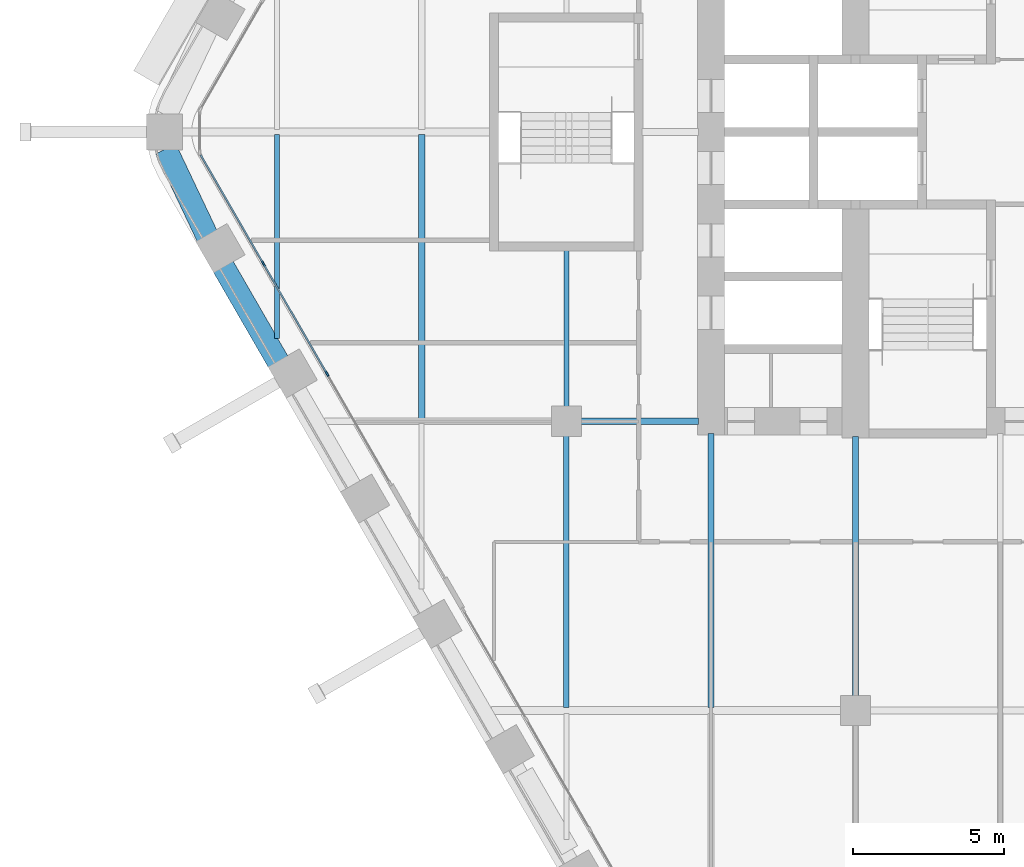
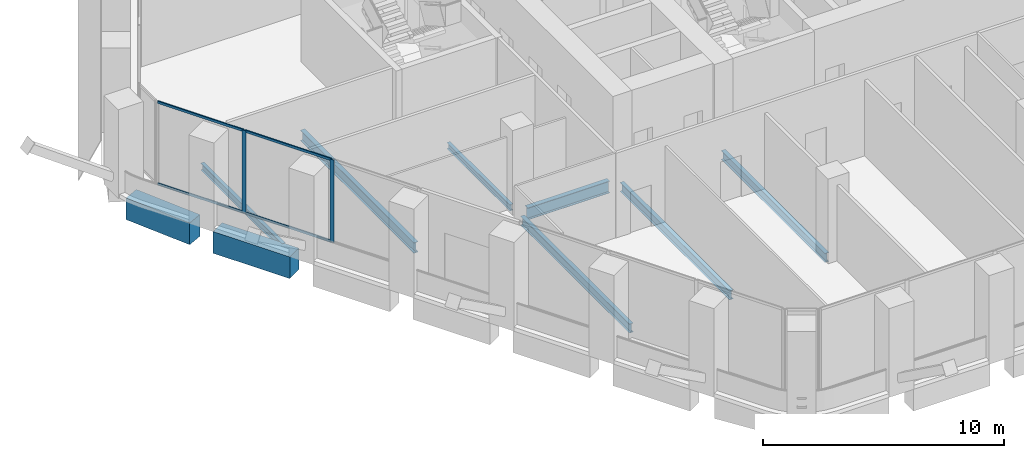
# One storey, part 3 of 26: 9 beams, 6 members, 1 element without a shape of its own.
"""IFC4 building model written with IfcOpenShell, lengths in metres."""

from ifc_helpers import new_model, si_unit, direction, frame, origin, origin_2d, place, context, subcontext, project, spatial, rectangle, i_section, extrude, material, material_profile, profile_set, type_object, element, aggregate, save


model = new_model("IFC4")

# Units and contexts
model_context = context("Model", 3, precision=1e-05, world=origin(), true_north=direction((0.0, 1.0)))
body_context = subcontext(model_context, "Body", "Model", "MODEL_VIEW")
ifc_project = project(units=[si_unit("LENGTHUNIT", "METRE"), si_unit("AREAUNIT", "SQUARE_METRE"), si_unit("VOLUMEUNIT", "CUBIC_METRE"), si_unit("PLANEANGLEUNIT", "RADIAN"), si_unit("MASSUNIT", "GRAM", prefix="KILO")], contexts=[model_context])

# Site, building, storey
site_placement = place(None, origin())
site = spatial("IfcSite", under=ifc_project, at=site_placement, CompositionType="ELEMENT")
building_placement = place(site_placement, origin())
building = spatial("IfcBuilding", under=site, at=building_placement, Name="Kolab Exchange Tower", CompositionType="ELEMENT")
storey_placement = place(building_placement, frame((0.0, 0.0, 104.89990234375)))
storey = spatial("IfcBuildingStorey", under=building, at=storey_placement, Name="L20", CompositionType="ELEMENT", Elevation=104.89990234375)

# Beams
ifc_material_1 = material(Name="Steel S355", Category="steel")
ifc_material_profile_1 = material_profile(ifc_material_1, i_section(OverallWidth=0.1650390625, OverallDepth=0.31005859375, WebThickness=0.005859375, FlangeThickness=0.009765625, at=origin_2d()), Name="W310X39")
ifc_profile_set_1 = profile_set([ifc_material_profile_1], Name="Steel S355")
beam_type_1 = type_object("IfcBeamType", Name="FLOOR BEAM W310X39", PredefinedType="BEAM", material=ifc_profile_set_1)
beam_1_placement = place(storey_placement, frame((-19.199951171875, -9.139892578125, -0.35498046875), z_axis=(0.0, 1.0, 0.0), x_axis=(-1.0, 0.0, 0.0)))
element("IfcBeam", 1, at=beam_1_placement, inside=storey, type_object=beam_type_1, Name="beam/L20/fr/008", PredefinedType="BEAM", context=body_context, shape_type="SweptSolid", body=[
    extrude(i_section(OverallWidth=0.1650390625, OverallDepth=0.31005859375, WebThickness=0.005859375, FlangeThickness=0.009765625, at=origin_2d()), origin(), (0.0, 0.0, 1.0), 5.22998046875),
])
ifc_material_profile_2 = material_profile(ifc_material_1, i_section(OverallWidth=0.1708984375, OverallDepth=0.35498046875, WebThickness=0.007080078125, FlangeThickness=0.01171875, at=origin_2d()), Name="W360X51")
ifc_profile_set_2 = profile_set([ifc_material_profile_2], Name="Steel S355")
beam_type_2 = type_object("IfcBeamType", Name="FLOOR BEAM W360X51", PredefinedType="BEAM", material=ifc_profile_set_2)
beam_2_placement = place(storey_placement, frame((-28.800048828125, -6.853759765625, -0.37744140625), z_axis=(0.0, 1.0, 0.0), x_axis=(-1.0, 0.0, 0.0)))
element("IfcBeam", 2, at=beam_2_placement, inside=storey, type_object=beam_type_2, Name="beam/L20/fr/000", PredefinedType="BEAM", context=body_context, shape_type="SweptSolid", body=[
    extrude(i_section(OverallWidth=0.1708984375, OverallDepth=0.35498046875, WebThickness=0.007080078125, FlangeThickness=0.01171875, at=origin_2d()), origin(), (0.0, 0.0, 1.0), 6.766845703125),
])
ifc_material_profile_3 = material_profile(ifc_material_1, i_section(OverallWidth=0.18994140625, OverallDepth=0.45703125, WebThickness=0.009033203125, FlangeThickness=0.014404296875, at=origin_2d()), Name="W460X74")
ifc_profile_set_3 = profile_set([ifc_material_profile_3], Name="Steel S355")
beam_type_3 = type_object("IfcBeamType", Name="FLOOR BEAM W460X74", PredefinedType="BEAM", material=ifc_profile_set_3)
beam_3_placement = place(storey_placement, frame((-19.199951171875, -19.1064453125, -0.428466796875), z_axis=(0.0, 1.0, 0.0), x_axis=(-1.0, 0.0, 0.0)))
element("IfcBeam", 3, at=beam_3_placement, inside=storey, type_object=beam_type_3, Name="beam/L20/fr/007", PredefinedType="BEAM", context=body_context, shape_type="SweptSolid", body=[
    extrude(i_section(OverallWidth=0.18994140625, OverallDepth=0.45703125, WebThickness=0.009033203125, FlangeThickness=0.014404296875, at=origin_2d()), origin(), (0.0, 0.0, 1.0), 9.04638671875),
])
beam_4_placement = place(storey_placement, frame((-14.39990234375, -19.1064453125, -0.428466796875), z_axis=(0.0, 1.0, 0.0), x_axis=(-1.0, 0.0, 0.0)))
element("IfcBeam", 4, at=beam_4_placement, inside=storey, type_object=beam_type_3, Name="beam/L20/fr/013", PredefinedType="BEAM", context=body_context, shape_type="SweptSolid", body=[
    extrude(i_section(OverallWidth=0.18994140625, OverallDepth=0.45703125, WebThickness=0.009033203125, FlangeThickness=0.014404296875, at=origin_2d()), origin(), (0.0, 0.0, 1.0), 9.096435546875),
])
beam_5_placement = place(storey_placement, frame((-9.60009765625, -18.739990234375, -0.428466796875), z_axis=(0.0, 1.0, 0.0), x_axis=(-1.0, 0.0, 0.0)))
element("IfcBeam", 5, at=beam_5_placement, inside=storey, type_object=beam_type_3, Name="beam/L20/fr/017", PredefinedType="BEAM", context=body_context, shape_type="SweptSolid", body=[
    extrude(i_section(OverallWidth=0.18994140625, OverallDepth=0.45703125, WebThickness=0.009033203125, FlangeThickness=0.014404296875, at=origin_2d()), origin(), (0.0, 0.0, 1.0), 8.6298828125),
])
ifc_material_profile_4 = material_profile(ifc_material_1, i_section(OverallWidth=0.208984375, OverallDepth=0.532958984375, WebThickness=0.01025390625, FlangeThickness=0.015625, at=origin_2d()), Name="W530X92")
ifc_profile_set_4 = profile_set([ifc_material_profile_4], Name="Steel S355")
beam_type_4 = type_object("IfcBeamType", Name="FLOOR BEAM W530X92", PredefinedType="BEAM", material=ifc_profile_set_4)
beam_6_placement = place(storey_placement, frame((-24.0, -9.52587890625, -0.46630859375), z_axis=(0.0, 1.0, 0.0), x_axis=(-1.0, 0.0, 0.0)))
element("IfcBeam", 6, at=beam_6_placement, inside=storey, type_object=beam_type_4, Name="beam/L20/fr/003", PredefinedType="BEAM", context=body_context, shape_type="SweptSolid", body=[
    extrude(i_section(OverallWidth=0.208984375, OverallDepth=0.532958984375, WebThickness=0.01025390625, FlangeThickness=0.015625, at=origin_2d()), origin(), (0.0, 0.0, 1.0), 9.43896484375),
])
ifc_material_profile_5 = material_profile(ifc_material_1, i_section(OverallWidth=0.22802734375, OverallDepth=0.60791015625, WebThickness=0.01123046875, FlangeThickness=0.017333984375, at=origin_2d()), Name="W610X113")
ifc_profile_set_5 = profile_set([ifc_material_profile_5], Name="Steel S355")
beam_type_5 = type_object("IfcBeamType", Name="FLOOR GIRDER W610X113", PredefinedType="BEAM", material=ifc_profile_set_5)
beam_7_placement = place(storey_placement, frame((-18.739990234375, -9.60009765625, -0.50390625), z_axis=(1.0, 0.0, 0.0), x_axis=(0.0, 1.0, 0.0)))
element("IfcBeam", 7, at=beam_7_placement, inside=storey, type_object=beam_type_5, Name="beam/L20/gd/005", PredefinedType="BEAM", context=body_context, shape_type="SweptSolid", body=[
    extrude(i_section(OverallWidth=0.22802734375, OverallDepth=0.60791015625, WebThickness=0.01123046875, FlangeThickness=0.017333984375, at=origin_2d()), origin(), (0.0, 0.0, 1.0), 3.929931640625),
])
ifc_material_2 = material(Name="Concrete C70/85", Category="concrete")
ifc_material_profile_6 = material_profile(ifc_material_2, rectangle(XDim=0.75, YDim=1.10009765625, at=origin_2d()), Name="RC750X1100")
ifc_profile_set_6 = profile_set([ifc_material_profile_6], Name="Concrete C70/85")
beam_type_6 = type_object("IfcBeamType", Name="SPANDREL BEAM 750X1100 C70/85", PredefinedType="BEAM", material=ifc_profile_set_6)
beam_8_placement = place(storey_placement, frame((-28.755126953125, -7.641357421875, -0.75), z_axis=(-0.500013413428, 0.866017659399, 0.0), x_axis=(-0.866017659399, -0.500013413428, 0.0)))
element("IfcBeam", 8, at=beam_8_placement, inside=storey, type_object=beam_type_6, Name="beam/L20/sp/F5-06", PredefinedType="BEAM", context=body_context, shape_type="SweptSolid", body=[
    extrude(rectangle(XDim=0.75, YDim=1.10009765625, at=origin_2d()), origin(), (0.0, 0.0, 1.0), 3.68017578125),
])
beam_9_placement = place(storey_placement, frame((-31.116455078125, -3.4619140625, -0.75), z_axis=(-0.429041292193, 0.903284877319, 0.0), x_axis=(-0.903284877319, -0.429041292193, 0.0)))
element("IfcBeam", 9, at=beam_9_placement, inside=storey, type_object=beam_type_6, Name="beam/L20/sp/F5-07", PredefinedType="BEAM", context=body_context, shape_type="SweptSolid", body=[
    extrude(rectangle(XDim=0.75, YDim=1.10009765625, at=origin_2d()), origin(), (0.0, 0.0, 1.0), 3.208251953125),
])

# Curtain wall, members
ifc_material_3 = material(Name="Aluminium EN AW-6063 T6", Category="aluminium")
curtain_wall_type = type_object("IfcCurtainWallType", Name="UNITISED LOWER MID ZONE CURTAIN WALL", PredefinedType="NOTDEFINED", material=ifc_material_3)
curtain_wall_placement = place(storey_placement, origin())
curtain_wall = element("IfcCurtainWall", 10, at=curtain_wall_placement, inside=storey, type_object=curtain_wall_type, Name="cw/L20/F5-2", PredefinedType="NOTDEFINED")
ifc_material_profile_7 = material_profile(ifc_material_3, rectangle(XDim=0.06005859375, YDim=0.179931640625, at=origin_2d()), Name="RECT 60X180")
ifc_profile_set_7 = profile_set([ifc_material_profile_7], Name="Aluminium EN AW-6063 T6")
member_type_1 = type_object("IfcMemberType", Name="UNITISED LOWER MID ZONE MULLION 60 X 180", PredefinedType="MULLION", material=ifc_profile_set_7)
member_1_placement = place(storey_placement, frame((-27.14306640625, -8.02392578125, 0.0), z_axis=(0.0, 0.0, 1.0), x_axis=(-0.866025427826, -0.499999958358, 0.0)))
member_1 = element("IfcMember", 11, at=member_1_placement, type_object=member_type_1, Name="CW2 mullion 2", PredefinedType="MULLION", context=body_context, shape_type="SweptSolid", body=[
    extrude(rectangle(XDim=0.06005859375, YDim=0.179931640625, at=origin_2d()), origin(), (0.0, 0.0, 1.0), 4.2001953125),
])
member_2_placement = place(storey_placement, frame((-29.25439453125, -4.366943359375, 0.0), z_axis=(0.0, 0.0, 1.0), x_axis=(-0.866025427826, -0.499999958358, 0.0)))
member_2 = element("IfcMember", 12, at=member_2_placement, type_object=member_type_1, Name="CW2 mullion 3", PredefinedType="MULLION", context=body_context, shape_type="SweptSolid", body=[
    extrude(rectangle(XDim=0.06005859375, YDim=0.179931640625, at=origin_2d()), origin(), (0.0, 0.0, 1.0), 4.2001953125),
])
ifc_material_profile_8 = material_profile(ifc_material_3, rectangle(XDim=0.06005859375, YDim=0.1201171875, at=origin_2d()), Name="RECT 60X120")
ifc_profile_set_8 = profile_set([ifc_material_profile_8], Name="Aluminium EN AW-6063 T6")
member_type_2 = type_object("IfcMemberType", Name="UNITISED LOWER MID ZONE TRANSOM 60 X 120", PredefinedType="USERDEFINED", material=ifc_profile_set_8)
member_3_placement = place(storey_placement, frame((-27.157958984375, -7.997802734375, 0.030029296875), z_axis=(-0.49999322259, 0.866029316688, 0.0), x_axis=(-0.866029316688, -0.49999322259, 0.0)))
member_3 = element("IfcMember", 13, at=member_3_placement, type_object=member_type_2, Name="CW2 transom 2.1", ObjectType="TRANSOM", PredefinedType="USERDEFINED", context=body_context, shape_type="SweptSolid", body=[
    extrude(rectangle(XDim=0.06005859375, YDim=0.1201171875, at=origin_2d()), origin(), (0.0, 0.0, 1.0), 4.16259765625),
])
member_4_placement = place(storey_placement, frame((-27.157958984375, -7.997802734375, 4.170166015625), z_axis=(-0.49999322259, 0.866029316688, 0.0), x_axis=(-0.866029316688, -0.49999322259, 0.0)))
member_4 = element("IfcMember", 14, at=member_4_placement, type_object=member_type_2, Name="CW2 transom 2.2", ObjectType="TRANSOM", PredefinedType="USERDEFINED", context=body_context, shape_type="SweptSolid", body=[
    extrude(rectangle(XDim=0.06005859375, YDim=0.1201171875, at=origin_2d()), origin(), (0.0, 0.0, 1.0), 4.16259765625),
])
member_5_placement = place(storey_placement, frame((-29.269287109375, -4.3408203125, 0.030029296875), z_axis=(-0.500027577057, 0.866009481578, 0.0), x_axis=(-0.866009481578, -0.500027577057, 0.0)))
member_5 = element("IfcMember", 15, at=member_5_placement, type_object=member_type_2, Name="CW2 transom 3.1", ObjectType="TRANSOM", PredefinedType="USERDEFINED", context=body_context, shape_type="SweptSolid", body=[
    extrude(rectangle(XDim=0.06005859375, YDim=0.1201171875, at=origin_2d()), origin(), (0.0, 0.0, 1.0), 4.132568359375),
])
member_6_placement = place(storey_placement, frame((-29.269287109375, -4.3408203125, 4.170166015625), z_axis=(-0.500027577057, 0.866009481578, 0.0), x_axis=(-0.866009481578, -0.500027577057, 0.0)))
member_6 = element("IfcMember", 16, at=member_6_placement, type_object=member_type_2, Name="CW2 transom 3.2", ObjectType="TRANSOM", PredefinedType="USERDEFINED", context=body_context, shape_type="SweptSolid", body=[
    extrude(rectangle(XDim=0.06005859375, YDim=0.1201171875, at=origin_2d()), origin(), (0.0, 0.0, 1.0), 4.132568359375),
])
aggregate(curtain_wall, [member_1, member_2, member_3, member_4, member_5, member_6])

save(model, "model.ifc")
